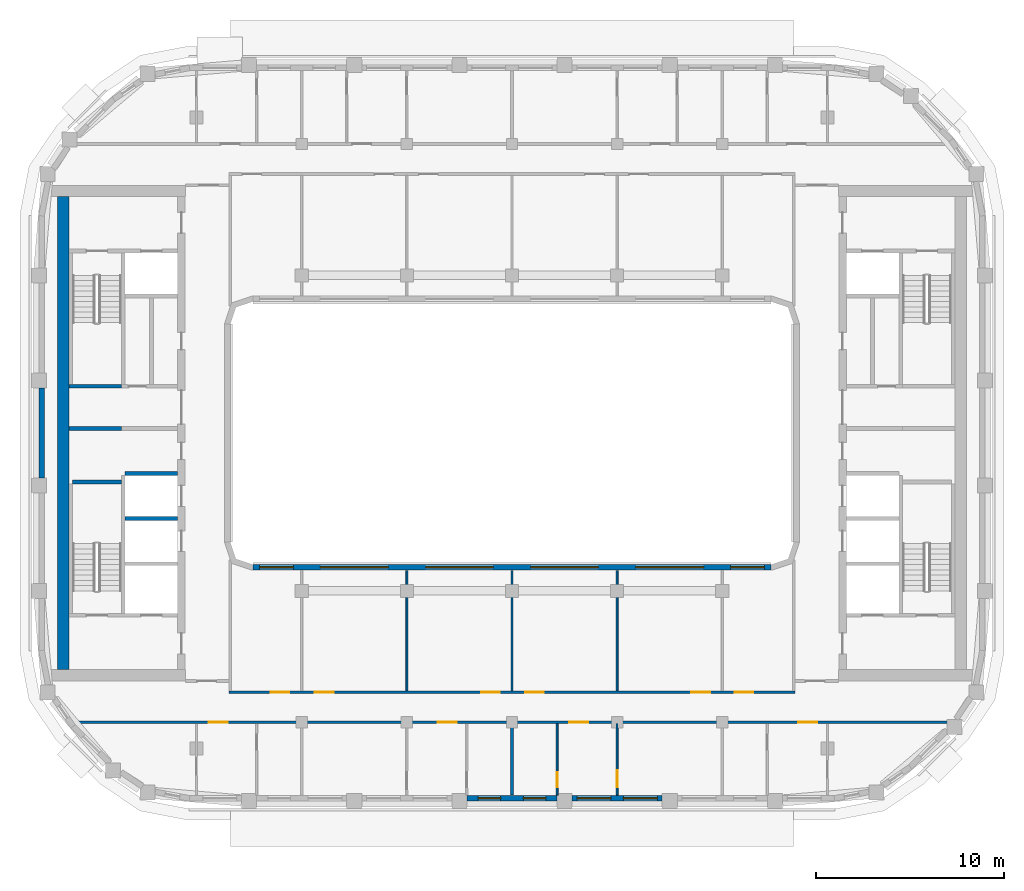
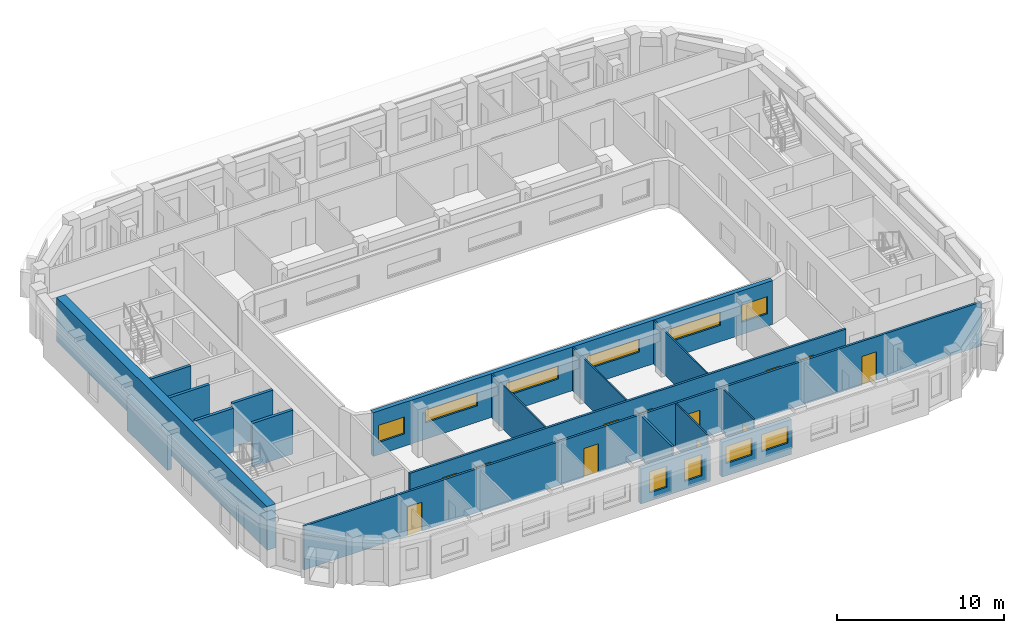
# One storey, part 3 of 15: 18 walls, 12 doors, 10 windows, 22 openings.
"""IFC4 building model written with IfcOpenShell, lengths in metres."""

from ifc_helpers import new_model, si_unit, direction, frame, frame_2d, origin, place, context, subcontext, project, spatial, rectangle, extrude, material, layer, layer_set, type_object, element, fill, save


model = new_model("IFC4")

# Units and contexts
model_context = context("Model", 3, precision=1e-05, world=origin(), true_north=direction((0.0, 1.0)))
body_context = subcontext(model_context, "Body", "Model", "MODEL_VIEW")
ifc_project = project(units=[si_unit("LENGTHUNIT", "METRE"), si_unit("AREAUNIT", "SQUARE_METRE"), si_unit("VOLUMEUNIT", "CUBIC_METRE"), si_unit("PLANEANGLEUNIT", "RADIAN"), si_unit("MASSUNIT", "GRAM", prefix="KILO")], contexts=[model_context])

# Site, building, storey
site_placement = place(None, origin())
site = spatial("IfcSite", under=ifc_project, at=site_placement, CompositionType="ELEMENT")
building_placement = place(site_placement, origin())
building = spatial("IfcBuilding", under=site, at=building_placement, Name="Kiln Ring Residences", CompositionType="ELEMENT")
storey_placement = place(building_placement, frame((0.0, 0.0, 252.199951171875)))
storey = spatial("IfcBuildingStorey", under=building, at=storey_placement, Name="L65", CompositionType="ELEMENT", Elevation=252.199951171875)

# Walls
ifc_material_1 = material(Name="Gypsum board on steel studs", Category="steel")
ifc_layer_1 = layer(ifc_material_1, 0.199951171875)
ifc_layer_set_1 = layer_set([ifc_layer_1], Name="CORE-PARTITION-200")
wall_type_1 = type_object("IfcWallType", Name="CORE-PARTITION-200", PredefinedType="PARTITIONING", material=ifc_layer_set_1)
wall_1_placement = place(storey_placement, frame((-20.800048828125, 0.25, 0.0), z_axis=(0.0, 0.0, 1.0), x_axis=(-1.0, 0.0, 0.0)))
element("IfcWall", 1, at=wall_1_placement, inside=storey, type_object=wall_type_1, Name="Core partition west L65 1", PredefinedType="PARTITIONING", context=body_context, shape_type="SweptSolid", body=[
    extrude(rectangle(XDim=2.800048828125, YDim=0.199951171875, at=frame_2d((1.39990234375, 0.0))), origin(), (0.0, 0.0, 1.0), 3.199951171875),
])
ifc_material_2 = material(Name="Gypsum shaft wall system")
ifc_layer_2 = layer(ifc_material_2, 0.199951171875)
ifc_layer_set_2 = layer_set([ifc_layer_2], Name="CORE-SHAFT-WALL-200")
wall_type_2 = type_object("IfcWallType", Name="CORE-SHAFT-WALL-200", PredefinedType="PARTITIONING", material=ifc_layer_set_2)
for number, where, z_axis, x_axis, name in (
    (2, (-17.800048828125, -4.550048828125, 0.0), (0.0, 0.0, 1.0), (-1.0, 0.0, 0.0), "Core partition west L65 4"),
    (3, (-17.800048828125, -2.14990234375, 0.0), (0.0, 0.0, 1.0), (-1.0, 0.0, 0.0), "Core partition west L65 5"),
):
    element("IfcWall", number, at=place(storey_placement, frame(where, z_axis=z_axis, x_axis=x_axis)), inside=storey, type_object=wall_type_2, Name=name, PredefinedType="PARTITIONING", context=body_context, shape_type="SweptSolid", body=[
        extrude(rectangle(XDim=2.800048828125, YDim=0.199951171875, at=frame_2d((1.39990234375, 0.0))), origin(), (0.0, 0.0, 1.0), 3.199951171875),
    ])
ifc_material_3 = material(Name="Concrete C40/50", Category="concrete")
ifc_layer_3 = layer(ifc_material_3, 0.199951171875)
ifc_layer_set_3 = layer_set([ifc_layer_3], Name="CORE-WALL-RC200")
wall_type_3 = type_object("IfcWallType", Name="CORE-WALL-RC200", PredefinedType="SHEAR", material=ifc_layer_set_3)
wall_2_placement = place(storey_placement, frame((-20.800048828125, 2.5, 0.0), z_axis=(0.0, 0.0, 1.0), x_axis=(-1.0, 0.0, 0.0)))
element("IfcWall", 4, at=wall_2_placement, inside=storey, type_object=wall_type_3, Name="Core wall west L65 3", PredefinedType="SHEAR", context=body_context, shape_type="SweptSolid", body=[
    extrude(rectangle(XDim=2.800048828125, YDim=0.199951171875, at=frame_2d((1.39990234375, 0.0))), origin(), (0.0, 0.0, 1.0), 3.199951171875),
])
wall_3_placement = place(storey_placement, frame((-20.800048828125, -2.60009765625, 0.0), z_axis=(0.0, 0.0, 1.0), x_axis=(-1.0, 0.0, 0.0)))
element("IfcWall", 5, at=wall_3_placement, inside=storey, type_object=wall_type_3, Name="Core wall west L65 12", PredefinedType="SHEAR", context=body_context, shape_type="SweptSolid", body=[
    extrude(rectangle(XDim=2.599853515625, YDim=0.199951171875, at=frame_2d((1.2998046875, 0.0))), origin(), (0.0, 0.0, 1.0), 3.199951171875),
])
ifc_material_4 = material(Name="Concrete C60/75", Category="concrete")
ifc_layer_4 = layer(ifc_material_4, 0.60009765625)
ifc_layer_set_4 = layer_set([ifc_layer_4], Name="CORE-WALL-RC600")
wall_type_4 = type_object("IfcWallType", Name="CORE-WALL-RC600", PredefinedType="SHEAR", material=ifc_layer_set_4)
wall_4_placement = place(storey_placement, frame((-23.89990234375, -12.60009765625, 0.0), z_axis=(0.0, 0.0, 1.0), x_axis=(0.0, 1.0, 0.0)))
element("IfcWall", 6, at=wall_4_placement, inside=storey, type_object=wall_type_4, Name="Core wall west L65 7", PredefinedType="SHEAR", context=body_context, shape_type="SweptSolid", body=[
    extrude(rectangle(XDim=25.2001953125, YDim=0.60009765625, at=frame_2d((12.60009765625, 0.0))), origin(), (0.0, 0.0, 1.0), 3.199951171875),
])

# Wall, openings, windows
ifc_material_5 = material(Name="Brick masonry, dark clay brick", Category="masonry")
ifc_layer_5 = layer(ifc_material_5, 0.300048828125)
ifc_layer_set_5 = layer_set([ifc_layer_5], Name="EW-300 BRICK WALL")
wall_type_5 = type_object("IfcWallType", Name="EW-300 BRICK WALL", PredefinedType="SOLIDWALL", material=ifc_layer_set_5)
wall_5_placement = place(storey_placement, frame((-2.39990234375, -19.449951171875, 0.0), z_axis=(0.0, 0.0, 1.0), x_axis=(1.0, 0.0, 0.0)))
wall_5 = element("IfcWall", 7, at=wall_5_placement, inside=storey, type_object=wall_type_5, Name="Facade wall L65 7", PredefinedType="SOLIDWALL", context=body_context, shape_type="SweptSolid", body=[
    extrude(rectangle(XDim=4.7998046875, YDim=0.300048828125, at=frame_2d((2.39990234375, 0.0))), origin(), (0.0, 0.0, 1.0), 2.550048828125),
])
opening_1_placement = place(wall_5_placement, frame((0.60009765625, 0.0, 0.60009765625)))
opening_1 = element("IfcOpeningElement", 8, at=opening_1_placement, cuts=wall_5, Name="Opening W1", PredefinedType="OPENING", context=body_context, shape_type="SweptSolid", body=[
    extrude(rectangle(XDim=1.199951171875, YDim=1.550048828125, at=frame_2d((0.60009765625, 0.77490234375))), frame((0.0, 0.159912109375, 0.0), z_axis=(0.0, -1.0, 0.0), x_axis=(1.0, 0.0, 0.0)), (0.0, 0.0, 1.0), 0.320068359375),
])
opening_2_placement = place(wall_5_placement, frame((3.0, 0.0, 0.60009765625)))
opening_2 = element("IfcOpeningElement", 9, at=opening_2_placement, cuts=wall_5, Name="Opening W1", PredefinedType="OPENING", context=body_context, shape_type="SweptSolid", body=[
    extrude(rectangle(XDim=1.199951171875, YDim=1.550048828125, at=frame_2d((0.60009765625, 0.77490234375))), frame((0.0, 0.159912109375, 0.0), z_axis=(0.0, -1.0, 0.0), x_axis=(1.0, 0.0, 0.0)), (0.0, 0.0, 1.0), 0.320068359375),
])
ifc_material_6 = material(Name="Aluminium frame with double glazing", Category="aluminium")
window_type_1 = type_object("IfcWindowType", Name="WINDOW 1200 x 1550", PartitioningType="SINGLE_PANEL", PredefinedType="WINDOW", material=ifc_material_6)
window_1_placement = place(opening_1_placement, origin())
window_1 = element("IfcWindow", 10, at=window_1_placement, inside=storey, type_object=window_type_1, Name="Window L65 8", OverallHeight=1.550048828125, OverallWidth=1.199951171875, PartitioningType="SINGLE_PANEL", PredefinedType="WINDOW", context=body_context, shape_type="SweptSolid", body=[
    extrude(rectangle(XDim=1.199951171875, YDim=1.550048828125, at=frame_2d((0.60009765625, 0.77490234375))), frame((0.0, 0.030029296875, 0.0), z_axis=(0.0, -1.0, 0.0), x_axis=(1.0, 0.0, 0.0)), (0.0, 0.0, 1.0), 0.06005859375),
])
fill(opening_1, window_1)
window_2_placement = place(opening_2_placement, origin())
window_2 = element("IfcWindow", 11, at=window_2_placement, inside=storey, type_object=window_type_1, Name="Window L65 9", OverallHeight=1.550048828125, OverallWidth=1.199951171875, PartitioningType="SINGLE_PANEL", PredefinedType="WINDOW", context=body_context, shape_type="SweptSolid", body=[
    extrude(rectangle(XDim=1.199951171875, YDim=1.550048828125, at=frame_2d((0.60009765625, 0.77490234375))), frame((0.0, 0.030029296875, 0.0), z_axis=(0.0, -1.0, 0.0), x_axis=(1.0, 0.0, 0.0)), (0.0, 0.0, 1.0), 0.06005859375),
])
fill(opening_2, window_2)

wall_6_placement = place(storey_placement, frame((3.199951171875, -19.449951171875, 0.0), z_axis=(0.0, 0.0, 1.0), x_axis=(1.0, 0.0, 0.0)))
wall_6 = element("IfcWall", 12, at=wall_6_placement, inside=storey, type_object=wall_type_5, Name="Facade wall L65 8", PredefinedType="SOLIDWALL", context=body_context, shape_type="SweptSolid", body=[
    extrude(rectangle(XDim=4.800048828125, YDim=0.300048828125, at=frame_2d((2.39990234375, 0.0))), origin(), (0.0, 0.0, 1.0), 2.550048828125),
])
opening_3_placement = place(wall_6_placement, frame((0.262451171875, 0.0, 0.89990234375)))
opening_3 = element("IfcOpeningElement", 13, at=opening_3_placement, cuts=wall_6, Name="Opening W2", PredefinedType="OPENING", context=body_context, shape_type="SweptSolid", body=[
    extrude(rectangle(XDim=1.800048828125, YDim=1.25, at=frame_2d((0.89990234375, 0.625))), frame((0.0, 0.159912109375, 0.0), z_axis=(0.0, -1.0, 0.0), x_axis=(1.0, 0.0, 0.0)), (0.0, 0.0, 1.0), 0.320068359375),
])
opening_4_placement = place(wall_6_placement, frame((2.737548828125, 0.0, 0.89990234375)))
opening_4 = element("IfcOpeningElement", 14, at=opening_4_placement, cuts=wall_6, Name="Opening W2", PredefinedType="OPENING", context=body_context, shape_type="SweptSolid", body=[
    extrude(rectangle(XDim=1.800048828125, YDim=1.25, at=frame_2d((0.89990234375, 0.625))), frame((0.0, 0.159912109375, 0.0), z_axis=(0.0, -1.0, 0.0), x_axis=(1.0, 0.0, 0.0)), (0.0, 0.0, 1.0), 0.320068359375),
])
ifc_material_7 = material(Name="Aluminium frame with double glazing", Category="aluminium")
window_type_2 = type_object("IfcWindowType", Name="WINDOW 1800 x 1250", PartitioningType="SINGLE_PANEL", PredefinedType="WINDOW", material=ifc_material_7)
window_3_placement = place(opening_3_placement, origin())
window_3 = element("IfcWindow", 15, at=window_3_placement, inside=storey, type_object=window_type_2, Name="Window L65 10", OverallHeight=1.25, OverallWidth=1.800048828125, PartitioningType="SINGLE_PANEL", PredefinedType="WINDOW", context=body_context, shape_type="SweptSolid", body=[
    extrude(rectangle(XDim=1.800048828125, YDim=1.25, at=frame_2d((0.89990234375, 0.625))), frame((0.0, 0.030029296875, 0.0), z_axis=(0.0, -1.0, 0.0), x_axis=(1.0, 0.0, 0.0)), (0.0, 0.0, 1.0), 0.06005859375),
])
fill(opening_3, window_3)
window_4_placement = place(opening_4_placement, origin())
window_4 = element("IfcWindow", 16, at=window_4_placement, inside=storey, type_object=window_type_2, Name="Window L65 11", OverallHeight=1.25, OverallWidth=1.800048828125, PartitioningType="SINGLE_PANEL", PredefinedType="WINDOW", context=body_context, shape_type="SweptSolid", body=[
    extrude(rectangle(XDim=1.800048828125, YDim=1.25, at=frame_2d((0.89990234375, 0.625))), frame((0.0, 0.030029296875, 0.0), z_axis=(0.0, -1.0, 0.0), x_axis=(1.0, 0.0, 0.0)), (0.0, 0.0, 1.0), 0.06005859375),
])
fill(opening_4, window_4)

# Wall
wall_7_placement = place(storey_placement, frame((-25.050048828125, 2.39990234375, 0.0), z_axis=(0.0, 0.0, 1.0), x_axis=(0.0, -1.0, 0.0)))
element("IfcWall", 17, at=wall_7_placement, inside=storey, type_object=wall_type_5, Name="Facade wall L65 40", PredefinedType="SOLIDWALL", context=body_context, shape_type="SweptSolid", body=[
    extrude(rectangle(XDim=4.7998046875, YDim=0.300048828125, at=frame_2d((2.39990234375, 0.0))), origin(), (0.0, 0.0, 1.0), 2.550048828125),
])

# Wall, openings, windows
wall_8_placement = place(storey_placement, frame((13.800048828125, -7.14990234375, 0.0), z_axis=(0.0, 0.0, 1.0), x_axis=(-1.0, 0.0, 0.0)))
wall_8 = element("IfcWall", 18, at=wall_8_placement, inside=storey, type_object=wall_type_5, Name="Facade wall L65 48", PredefinedType="SOLIDWALL", context=body_context, shape_type="SweptSolid", body=[
    extrude(rectangle(XDim=27.60009765625, YDim=0.300048828125, at=frame_2d((13.800048828125, 0.0))), origin(), (0.0, 0.0, 1.0), 3.199951171875),
])
opening_5_placement = place(wall_8_placement, frame((0.362548828125, 0.0, 0.89990234375)))
opening_5 = element("IfcOpeningElement", 19, at=opening_5_placement, cuts=wall_8, Name="Opening W2", PredefinedType="OPENING", context=body_context, shape_type="SweptSolid", body=[
    extrude(rectangle(XDim=1.800048828125, YDim=1.25, at=frame_2d((0.89990234375, 0.625))), frame((0.0, 0.159912109375, 0.0), z_axis=(0.0, -1.0, 0.0), x_axis=(1.0, 0.0, 0.0)), (0.0, 0.0, 1.0), 0.320068359375),
])
opening_6_placement = place(wall_8_placement, frame((3.60009765625, 0.0, 1.199951171875)))
opening_6 = element("IfcOpeningElement", 20, at=opening_6_placement, cuts=wall_8, Name="Opening W4", PredefinedType="OPENING", context=body_context, shape_type="SweptSolid", body=[
    extrude(rectangle(XDim=3.60009765625, YDim=0.949951171875, at=frame_2d((1.800048828125, 0.47509765625))), frame((0.0, 0.159912109375, 0.0), z_axis=(0.0, -1.0, 0.0), x_axis=(1.0, 0.0, 0.0)), (0.0, 0.0, 1.0), 0.320068359375),
])
opening_7_placement = place(wall_8_placement, frame((9.199951171875, 0.0, 1.199951171875)))
opening_7 = element("IfcOpeningElement", 21, at=opening_7_placement, cuts=wall_8, Name="Opening W4", PredefinedType="OPENING", context=body_context, shape_type="SweptSolid", body=[
    extrude(rectangle(XDim=3.60009765625, YDim=0.949951171875, at=frame_2d((1.800048828125, 0.47509765625))), frame((0.0, 0.159912109375, 0.0), z_axis=(0.0, -1.0, 0.0), x_axis=(1.0, 0.0, 0.0)), (0.0, 0.0, 1.0), 0.320068359375),
])
opening_8_placement = place(wall_8_placement, frame((14.800048828125, 0.0, 1.199951171875)))
opening_8 = element("IfcOpeningElement", 22, at=opening_8_placement, cuts=wall_8, Name="Opening W4", PredefinedType="OPENING", context=body_context, shape_type="SweptSolid", body=[
    extrude(rectangle(XDim=3.60009765625, YDim=0.949951171875, at=frame_2d((1.800048828125, 0.47509765625))), frame((0.0, 0.159912109375, 0.0), z_axis=(0.0, -1.0, 0.0), x_axis=(1.0, 0.0, 0.0)), (0.0, 0.0, 1.0), 0.320068359375),
])
opening_9_placement = place(wall_8_placement, frame((20.39990234375, 0.0, 1.199951171875)))
opening_9 = element("IfcOpeningElement", 23, at=opening_9_placement, cuts=wall_8, Name="Opening W4", PredefinedType="OPENING", context=body_context, shape_type="SweptSolid", body=[
    extrude(rectangle(XDim=3.60009765625, YDim=0.949951171875, at=frame_2d((1.800048828125, 0.47509765625))), frame((0.0, 0.159912109375, 0.0), z_axis=(0.0, -1.0, 0.0), x_axis=(1.0, 0.0, 0.0)), (0.0, 0.0, 1.0), 0.320068359375),
])
opening_10_placement = place(wall_8_placement, frame((25.4375, 0.0, 0.89990234375)))
opening_10 = element("IfcOpeningElement", 24, at=opening_10_placement, cuts=wall_8, Name="Opening W2", PredefinedType="OPENING", context=body_context, shape_type="SweptSolid", body=[
    extrude(rectangle(XDim=1.800048828125, YDim=1.25, at=frame_2d((0.89990234375, 0.625))), frame((0.0, 0.159912109375, 0.0), z_axis=(0.0, -1.0, 0.0), x_axis=(1.0, 0.0, 0.0)), (0.0, 0.0, 1.0), 0.320068359375),
])
window_5_placement = place(opening_5_placement, origin())
window_5 = element("IfcWindow", 25, at=window_5_placement, inside=storey, type_object=window_type_2, Name="Window L65 43", OverallHeight=1.25, OverallWidth=1.800048828125, PartitioningType="SINGLE_PANEL", PredefinedType="WINDOW", context=body_context, shape_type="SweptSolid", body=[
    extrude(rectangle(XDim=1.800048828125, YDim=1.25, at=frame_2d((0.89990234375, 0.625))), frame((0.0, 0.030029296875, 0.0), z_axis=(0.0, -1.0, 0.0), x_axis=(1.0, 0.0, 0.0)), (0.0, 0.0, 1.0), 0.06005859375),
])
fill(opening_5, window_5)
window_6_placement = place(opening_10_placement, origin())
window_6 = element("IfcWindow", 26, at=window_6_placement, inside=storey, type_object=window_type_2, Name="Window L65 48", OverallHeight=1.25, OverallWidth=1.800048828125, PartitioningType="SINGLE_PANEL", PredefinedType="WINDOW", context=body_context, shape_type="SweptSolid", body=[
    extrude(rectangle(XDim=1.800048828125, YDim=1.25, at=frame_2d((0.89990234375, 0.625))), frame((0.0, 0.030029296875, 0.0), z_axis=(0.0, -1.0, 0.0), x_axis=(1.0, 0.0, 0.0)), (0.0, 0.0, 1.0), 0.06005859375),
])
fill(opening_10, window_6)
ifc_material_8 = material(Name="Aluminium frame with double glazing", Category="aluminium")
window_type_3 = type_object("IfcWindowType", Name="WINDOW 3600 x 950", PartitioningType="SINGLE_PANEL", PredefinedType="WINDOW", material=ifc_material_8)
window_7_placement = place(opening_6_placement, origin())
window_7 = element("IfcWindow", 27, at=window_7_placement, inside=storey, type_object=window_type_3, Name="Window L65 44", OverallHeight=0.949951171875, OverallWidth=3.60009765625, PartitioningType="SINGLE_PANEL", PredefinedType="WINDOW", context=body_context, shape_type="SweptSolid", body=[
    extrude(rectangle(XDim=3.60009765625, YDim=0.949951171875, at=frame_2d((1.800048828125, 0.47509765625))), frame((0.0, 0.030029296875, 0.0), z_axis=(0.0, -1.0, 0.0), x_axis=(1.0, 0.0, 0.0)), (0.0, 0.0, 1.0), 0.06005859375),
])
fill(opening_6, window_7)
window_8_placement = place(opening_7_placement, origin())
window_8 = element("IfcWindow", 28, at=window_8_placement, inside=storey, type_object=window_type_3, Name="Window L65 45", OverallHeight=0.949951171875, OverallWidth=3.60009765625, PartitioningType="SINGLE_PANEL", PredefinedType="WINDOW", context=body_context, shape_type="SweptSolid", body=[
    extrude(rectangle(XDim=3.60009765625, YDim=0.949951171875, at=frame_2d((1.800048828125, 0.47509765625))), frame((0.0, 0.030029296875, 0.0), z_axis=(0.0, -1.0, 0.0), x_axis=(1.0, 0.0, 0.0)), (0.0, 0.0, 1.0), 0.06005859375),
])
fill(opening_7, window_8)
window_9_placement = place(opening_8_placement, origin())
window_9 = element("IfcWindow", 29, at=window_9_placement, inside=storey, type_object=window_type_3, Name="Window L65 46", OverallHeight=0.949951171875, OverallWidth=3.60009765625, PartitioningType="SINGLE_PANEL", PredefinedType="WINDOW", context=body_context, shape_type="SweptSolid", body=[
    extrude(rectangle(XDim=3.60009765625, YDim=0.949951171875, at=frame_2d((1.800048828125, 0.47509765625))), frame((0.0, 0.030029296875, 0.0), z_axis=(0.0, -1.0, 0.0), x_axis=(1.0, 0.0, 0.0)), (0.0, 0.0, 1.0), 0.06005859375),
])
fill(opening_8, window_9)
window_10_placement = place(opening_9_placement, origin())
window_10 = element("IfcWindow", 30, at=window_10_placement, inside=storey, type_object=window_type_3, Name="Window L65 47", OverallHeight=0.949951171875, OverallWidth=3.60009765625, PartitioningType="SINGLE_PANEL", PredefinedType="WINDOW", context=body_context, shape_type="SweptSolid", body=[
    extrude(rectangle(XDim=3.60009765625, YDim=0.949951171875, at=frame_2d((1.800048828125, 0.47509765625))), frame((0.0, 0.030029296875, 0.0), z_axis=(0.0, -1.0, 0.0), x_axis=(1.0, 0.0, 0.0)), (0.0, 0.0, 1.0), 0.06005859375),
])
fill(opening_9, window_10)

# Walls
ifc_material_9 = material(Name="Gypsum board on steel studs", Category="steel")
ifc_layer_6 = layer(ifc_material_9, 0.10009765625)
ifc_layer_set_6 = layer_set([ifc_layer_6], Name="PARTITION-100")
wall_type_6 = type_object("IfcWallType", Name="PARTITION-100", PredefinedType="PARTITIONING", material=ifc_layer_set_6)
for number, where, z_axis, x_axis, name in (
    (31, (-5.60009765625, -13.72509765625, 0.0), (0.0, 0.0, 1.0), (0.0, 1.0, 0.0), "Partition 020"),
    (32, (0.0, -13.72509765625, 0.0), (0.0, 0.0, 1.0), (0.0, 1.0, 0.0), "Partition 024"),
):
    element("IfcWall", number, at=place(storey_placement, frame(where, z_axis=z_axis, x_axis=x_axis)), inside=storey, type_object=wall_type_6, Name=name, PredefinedType="PARTITIONING", context=body_context, shape_type="SweptSolid", body=[
        extrude(rectangle(XDim=6.405029296875, YDim=0.10009765625, at=frame_2d((3.20263671875, 0.0))), origin(), (0.0, 0.0, 1.0), 3.199951171875),
    ])

# Wall, opening, door
wall_9_placement = place(storey_placement, frame((2.39990234375, -19.280029296875, 0.0), z_axis=(0.0, 0.0, 1.0), x_axis=(0.0, 1.0, 0.0)))
wall_9 = element("IfcWall", 33, at=wall_9_placement, inside=storey, type_object=wall_type_6, Name="Partition 028", PredefinedType="PARTITIONING", context=body_context, shape_type="SweptSolid", body=[
    extrude(rectangle(XDim=3.804931640625, YDim=0.10009765625, at=frame_2d((1.90234375, 0.0))), origin(), (0.0, 0.0, 1.0), 3.199951171875),
])
opening_11_placement = place(wall_9_placement, frame((0.428955078125, 0.0, 0.0)))
opening_11 = element("IfcOpeningElement", 34, at=opening_11_placement, cuts=wall_9, Name="Opening L65-D036", PredefinedType="OPENING", context=body_context, shape_type="SweptSolid", body=[
    extrude(rectangle(XDim=0.800048828125, YDim=2.10009765625, at=frame_2d((0.39990234375, 1.050048828125))), frame((0.0, 0.06005859375, 0.0), z_axis=(0.0, -1.0, 0.0), x_axis=(1.0, 0.0, 0.0)), (0.0, 0.0, 1.0), 0.1201171875),
])
ifc_material_10 = material(Name="Timber door leaf", Category="wood")
door_type_1 = type_object("IfcDoorType", Name="FLAT-DOOR-800-PL", OperationType="SINGLE_SWING_LEFT", PredefinedType="DOOR", material=ifc_material_10)
door_1_placement = place(opening_11_placement, origin())
door_1 = element("IfcDoor", 35, at=door_1_placement, inside=storey, type_object=door_type_1, Name="Door L65-D036", OperationType="SINGLE_SWING_RIGHT", OverallHeight=2.10009765625, OverallWidth=0.800048828125, PredefinedType="DOOR", context=body_context, shape_type="SweptSolid", body=[
    extrude(rectangle(XDim=0.800048828125, YDim=2.10009765625, at=frame_2d((0.39990234375, 1.050048828125))), frame((0.0, 0.02490234375, 0.0), z_axis=(0.0, -1.0, 0.0), x_axis=(1.0, 0.0, 0.0)), (0.0, 0.0, 1.0), 0.050048828125),
])
fill(opening_11, door_1)

wall_10_placement = place(storey_placement, frame((5.60009765625, -19.280029296875, 0.0), z_axis=(0.0, 0.0, 1.0), x_axis=(0.0, 1.0, 0.0)))
wall_10 = element("IfcWall", 36, at=wall_10_placement, inside=storey, type_object=wall_type_6, Name="Partition 029", PredefinedType="PARTITIONING", context=body_context, shape_type="SweptSolid", body=[
    extrude(rectangle(XDim=3.804931640625, YDim=0.10009765625, at=frame_2d((1.90234375, 0.0))), origin(), (0.0, 0.0, 1.0), 3.199951171875),
])
opening_12_placement = place(wall_10_placement, frame((0.419921875, 0.0, 0.0)))
opening_12 = element("IfcOpeningElement", 37, at=opening_12_placement, cuts=wall_10, Name="Opening L65-D037", PredefinedType="OPENING", context=body_context, shape_type="SweptSolid", body=[
    extrude(rectangle(XDim=0.89990234375, YDim=2.10009765625, at=frame_2d((0.449951171875, 1.050048828125))), frame((0.0, 0.06005859375, 0.0), z_axis=(0.0, -1.0, 0.0), x_axis=(1.0, 0.0, 0.0)), (0.0, 0.0, 1.0), 0.1201171875),
])
ifc_material_11 = material(Name="Timber door leaf", Category="wood")
door_type_2 = type_object("IfcDoorType", Name="FLAT-DOOR-900-PL", OperationType="SINGLE_SWING_LEFT", PredefinedType="DOOR", material=ifc_material_11)
door_2_placement = place(opening_12_placement, origin())
door_2 = element("IfcDoor", 38, at=door_2_placement, inside=storey, type_object=door_type_2, Name="Door L65-D037", OperationType="SINGLE_SWING_LEFT", OverallHeight=2.10009765625, OverallWidth=0.89990234375, PredefinedType="DOOR", context=body_context, shape_type="SweptSolid", body=[
    extrude(rectangle(XDim=0.89990234375, YDim=2.10009765625, at=frame_2d((0.449951171875, 1.050048828125))), frame((0.0, 0.02490234375, 0.0), z_axis=(0.0, -1.0, 0.0), x_axis=(1.0, 0.0, 0.0)), (0.0, 0.0, 1.0), 0.050048828125),
])
fill(opening_12, door_2)

# Wall
wall_11_placement = place(storey_placement, frame((5.60009765625, -13.72509765625, 0.0), z_axis=(0.0, 0.0, 1.0), x_axis=(0.0, 1.0, 0.0)))
element("IfcWall", 39, at=wall_11_placement, inside=storey, type_object=wall_type_6, Name="Partition 030", PredefinedType="PARTITIONING", context=body_context, shape_type="SweptSolid", body=[
    extrude(rectangle(XDim=6.405029296875, YDim=0.10009765625, at=frame_2d((3.20263671875, 0.0))), origin(), (0.0, 0.0, 1.0), 3.199951171875),
])

# Wall, openings, doors
ifc_material_12 = material(Name="Brick masonry partition", Category="masonry")
ifc_layer_7 = layer(ifc_material_12, 0.14990234375)
ifc_layer_set_7 = layer_set([ifc_layer_7], Name="PARTITION-150-ei60")
wall_type_7 = type_object("IfcWallType", Name="PARTITION-150-ei60", PredefinedType="PARTITIONING", material=ifc_layer_set_7)
wall_12_placement = place(storey_placement, frame((-23.322021484375, -15.39990234375, 0.0), z_axis=(0.0, 0.0, 1.0), x_axis=(1.0, 0.0, 0.0)))
wall_12 = element("IfcWall", 40, at=wall_12_placement, inside=storey, type_object=wall_type_7, Name="Partition 000", PredefinedType="PARTITIONING", context=body_context, shape_type="SweptSolid", body=[
    extrude(rectangle(XDim=46.8720703125, YDim=0.14990234375, at=frame_2d((23.43603515625, 0.0))), origin(), (0.0, 0.0, 1.0), 3.199951171875),
])
opening_13_placement = place(wall_12_placement, frame((7.172119140625, 0.0, 0.0)))
opening_13 = element("IfcOpeningElement", 41, at=opening_13_placement, cuts=wall_12, Name="Opening L65-D029", PredefinedType="OPENING", context=body_context, shape_type="SweptSolid", body=[
    extrude(rectangle(XDim=1.0, YDim=2.10009765625, at=frame_2d((0.5, 1.050048828125))), frame((0.0, 0.0849609375, 0.0), z_axis=(0.0, -1.0, 0.0), x_axis=(1.0, 0.0, 0.0)), (0.0, 0.0, 1.0), 0.169921875),
])
opening_14_placement = place(wall_12_placement, frame((19.3720703125, 0.0, 0.0)))
opening_14 = element("IfcOpeningElement", 42, at=opening_14_placement, cuts=wall_12, Name="Opening L65-D032", PredefinedType="OPENING", context=body_context, shape_type="SweptSolid", body=[
    extrude(rectangle(XDim=1.0, YDim=2.10009765625, at=frame_2d((0.5, 1.050048828125))), frame((0.0, 0.0849609375, 0.0), z_axis=(0.0, -1.0, 0.0), x_axis=(1.0, 0.0, 0.0)), (0.0, 0.0, 1.0), 0.169921875),
])
opening_15_placement = place(wall_12_placement, frame((26.3720703125, 0.0, 0.0)))
opening_15 = element("IfcOpeningElement", 43, at=opening_15_placement, cuts=wall_12, Name="Opening L65-D035", PredefinedType="OPENING", context=body_context, shape_type="SweptSolid", body=[
    extrude(rectangle(XDim=1.0, YDim=2.10009765625, at=frame_2d((0.5, 1.050048828125))), frame((0.0, 0.0849609375, 0.0), z_axis=(0.0, -1.0, 0.0), x_axis=(1.0, 0.0, 0.0)), (0.0, 0.0, 1.0), 0.169921875),
])
opening_16_placement = place(wall_12_placement, frame((38.572021484375, 0.0, 0.0)))
opening_16 = element("IfcOpeningElement", 44, at=opening_16_placement, cuts=wall_12, Name="Opening L65-D038", PredefinedType="OPENING", context=body_context, shape_type="SweptSolid", body=[
    extrude(rectangle(XDim=1.0, YDim=2.10009765625, at=frame_2d((0.5, 1.050048828125))), frame((0.0, 0.0849609375, 0.0), z_axis=(0.0, -1.0, 0.0), x_axis=(1.0, 0.0, 0.0)), (0.0, 0.0, 1.0), 0.169921875),
])
ifc_material_13 = material(Name="Steel faced fire door leaf", Category="steel")
door_type_3 = type_object("IfcDoorType", Name="FLAT-DOOR-1000-FR", OperationType="SINGLE_SWING_LEFT", PredefinedType="DOOR", material=ifc_material_13)
door_3_placement = place(opening_13_placement, origin())
door_3 = element("IfcDoor", 45, at=door_3_placement, inside=storey, type_object=door_type_3, Name="Door L65-D029", OperationType="SINGLE_SWING_LEFT", OverallHeight=2.10009765625, OverallWidth=1.0, PredefinedType="DOOR", context=body_context, shape_type="SweptSolid", body=[
    extrude(rectangle(XDim=1.0, YDim=2.10009765625, at=frame_2d((0.5, 1.050048828125))), frame((0.0, 0.02490234375, 0.0), z_axis=(0.0, -1.0, 0.0), x_axis=(1.0, 0.0, 0.0)), (0.0, 0.0, 1.0), 0.050048828125),
])
fill(opening_13, door_3)
door_4_placement = place(opening_14_placement, origin())
door_4 = element("IfcDoor", 46, at=door_4_placement, inside=storey, type_object=door_type_3, Name="Door L65-D032", OperationType="SINGLE_SWING_RIGHT", OverallHeight=2.10009765625, OverallWidth=1.0, PredefinedType="DOOR", context=body_context, shape_type="SweptSolid", body=[
    extrude(rectangle(XDim=1.0, YDim=2.10009765625, at=frame_2d((0.5, 1.050048828125))), frame((0.0, 0.02490234375, 0.0), z_axis=(0.0, -1.0, 0.0), x_axis=(1.0, 0.0, 0.0)), (0.0, 0.0, 1.0), 0.050048828125),
])
fill(opening_14, door_4)
door_5_placement = place(opening_15_placement, origin())
door_5 = element("IfcDoor", 47, at=door_5_placement, inside=storey, type_object=door_type_3, Name="Door L65-D035", OperationType="SINGLE_SWING_LEFT", OverallHeight=2.10009765625, OverallWidth=1.0, PredefinedType="DOOR", context=body_context, shape_type="SweptSolid", body=[
    extrude(rectangle(XDim=1.0, YDim=2.10009765625, at=frame_2d((0.5, 1.050048828125))), frame((0.0, 0.02490234375, 0.0), z_axis=(0.0, -1.0, 0.0), x_axis=(1.0, 0.0, 0.0)), (0.0, 0.0, 1.0), 0.050048828125),
])
fill(opening_15, door_5)
door_6_placement = place(opening_16_placement, origin())
door_6 = element("IfcDoor", 48, at=door_6_placement, inside=storey, type_object=door_type_3, Name="Door L65-D038", OperationType="SINGLE_SWING_RIGHT", OverallHeight=2.10009765625, OverallWidth=1.0, PredefinedType="DOOR", context=body_context, shape_type="SweptSolid", body=[
    extrude(rectangle(XDim=1.0, YDim=2.10009765625, at=frame_2d((0.5, 1.050048828125))), frame((0.0, 0.02490234375, 0.0), z_axis=(0.0, -1.0, 0.0), x_axis=(1.0, 0.0, 0.0)), (0.0, 0.0, 1.0), 0.050048828125),
])
fill(opening_16, door_6)

wall_13_placement = place(storey_placement, frame((-15.074951171875, -13.800048828125, 0.0), z_axis=(0.0, 0.0, 1.0), x_axis=(1.0, 0.0, 0.0)))
wall_13 = element("IfcWall", 49, at=wall_13_placement, inside=storey, type_object=wall_type_7, Name="Partition 001", PredefinedType="PARTITIONING", context=body_context, shape_type="SweptSolid", body=[
    extrude(rectangle(XDim=30.14990234375, YDim=0.14990234375, at=frame_2d((15.074951171875, 0.0))), origin(), (0.0, 0.0, 1.0), 3.199951171875),
])
opening_17_placement = place(wall_13_placement, frame((2.22509765625, 0.0, 0.0)))
opening_17 = element("IfcOpeningElement", 50, at=opening_17_placement, cuts=wall_13, Name="Opening L65-D023", PredefinedType="OPENING", context=body_context, shape_type="SweptSolid", body=[
    extrude(rectangle(XDim=1.0, YDim=2.10009765625, at=frame_2d((0.5, 1.050048828125))), frame((0.0, 0.0849609375, 0.0), z_axis=(0.0, -1.0, 0.0), x_axis=(1.0, 0.0, 0.0)), (0.0, 0.0, 1.0), 0.169921875),
])
opening_18_placement = place(wall_13_placement, frame((4.574951171875, 0.0, 0.0)))
opening_18 = element("IfcOpeningElement", 51, at=opening_18_placement, cuts=wall_13, Name="Opening L65-D024", PredefinedType="OPENING", context=body_context, shape_type="SweptSolid", body=[
    extrude(rectangle(XDim=1.0, YDim=2.10009765625, at=frame_2d((0.5, 1.050048828125))), frame((0.0, 0.0849609375, 0.0), z_axis=(0.0, -1.0, 0.0), x_axis=(1.0, 0.0, 0.0)), (0.0, 0.0, 1.0), 0.169921875),
])
opening_19_placement = place(wall_13_placement, frame((13.425048828125, 0.0, 0.0)))
opening_19 = element("IfcOpeningElement", 52, at=opening_19_placement, cuts=wall_13, Name="Opening L65-D025", PredefinedType="OPENING", context=body_context, shape_type="SweptSolid", body=[
    extrude(rectangle(XDim=1.0, YDim=2.10009765625, at=frame_2d((0.5, 1.050048828125))), frame((0.0, 0.0849609375, 0.0), z_axis=(0.0, -1.0, 0.0), x_axis=(1.0, 0.0, 0.0)), (0.0, 0.0, 1.0), 0.169921875),
])
opening_20_placement = place(wall_13_placement, frame((15.77490234375, 0.0, 0.0)))
opening_20 = element("IfcOpeningElement", 53, at=opening_20_placement, cuts=wall_13, Name="Opening L65-D026", PredefinedType="OPENING", context=body_context, shape_type="SweptSolid", body=[
    extrude(rectangle(XDim=1.0, YDim=2.10009765625, at=frame_2d((0.5, 1.050048828125))), frame((0.0, 0.0849609375, 0.0), z_axis=(0.0, -1.0, 0.0), x_axis=(1.0, 0.0, 0.0)), (0.0, 0.0, 1.0), 0.169921875),
])
opening_21_placement = place(wall_13_placement, frame((24.625, 0.0, 0.0)))
opening_21 = element("IfcOpeningElement", 54, at=opening_21_placement, cuts=wall_13, Name="Opening L65-D027", PredefinedType="OPENING", context=body_context, shape_type="SweptSolid", body=[
    extrude(rectangle(XDim=1.0, YDim=2.10009765625, at=frame_2d((0.5, 1.050048828125))), frame((0.0, 0.0849609375, 0.0), z_axis=(0.0, -1.0, 0.0), x_axis=(1.0, 0.0, 0.0)), (0.0, 0.0, 1.0), 0.169921875),
])
opening_22_placement = place(wall_13_placement, frame((26.924072265625, 0.0, 0.0)))
opening_22 = element("IfcOpeningElement", 55, at=opening_22_placement, cuts=wall_13, Name="Opening L65-D028", PredefinedType="OPENING", context=body_context, shape_type="SweptSolid", body=[
    extrude(rectangle(XDim=1.0, YDim=2.10009765625, at=frame_2d((0.5, 1.050048828125))), frame((0.0, 0.0849609375, 0.0), z_axis=(0.0, -1.0, 0.0), x_axis=(1.0, 0.0, 0.0)), (0.0, 0.0, 1.0), 0.169921875),
])
door_7_placement = place(opening_17_placement, origin())
door_7 = element("IfcDoor", 56, at=door_7_placement, inside=storey, type_object=door_type_3, Name="Door L65-D023", OperationType="SINGLE_SWING_LEFT", OverallHeight=2.10009765625, OverallWidth=1.0, PredefinedType="DOOR", context=body_context, shape_type="SweptSolid", body=[
    extrude(rectangle(XDim=1.0, YDim=2.10009765625, at=frame_2d((0.5, 1.050048828125))), frame((0.0, 0.02490234375, 0.0), z_axis=(0.0, -1.0, 0.0), x_axis=(1.0, 0.0, 0.0)), (0.0, 0.0, 1.0), 0.050048828125),
])
fill(opening_17, door_7)
door_8_placement = place(opening_18_placement, origin())
door_8 = element("IfcDoor", 57, at=door_8_placement, inside=storey, type_object=door_type_3, Name="Door L65-D024", OperationType="SINGLE_SWING_RIGHT", OverallHeight=2.10009765625, OverallWidth=1.0, PredefinedType="DOOR", context=body_context, shape_type="SweptSolid", body=[
    extrude(rectangle(XDim=1.0, YDim=2.10009765625, at=frame_2d((0.5, 1.050048828125))), frame((0.0, 0.02490234375, 0.0), z_axis=(0.0, -1.0, 0.0), x_axis=(1.0, 0.0, 0.0)), (0.0, 0.0, 1.0), 0.050048828125),
])
fill(opening_18, door_8)
door_9_placement = place(opening_19_placement, origin())
door_9 = element("IfcDoor", 58, at=door_9_placement, inside=storey, type_object=door_type_3, Name="Door L65-D025", OperationType="SINGLE_SWING_LEFT", OverallHeight=2.10009765625, OverallWidth=1.0, PredefinedType="DOOR", context=body_context, shape_type="SweptSolid", body=[
    extrude(rectangle(XDim=1.0, YDim=2.10009765625, at=frame_2d((0.5, 1.050048828125))), frame((0.0, 0.02490234375, 0.0), z_axis=(0.0, -1.0, 0.0), x_axis=(1.0, 0.0, 0.0)), (0.0, 0.0, 1.0), 0.050048828125),
])
fill(opening_19, door_9)
door_10_placement = place(opening_20_placement, origin())
door_10 = element("IfcDoor", 59, at=door_10_placement, inside=storey, type_object=door_type_3, Name="Door L65-D026", OperationType="SINGLE_SWING_RIGHT", OverallHeight=2.10009765625, OverallWidth=1.0, PredefinedType="DOOR", context=body_context, shape_type="SweptSolid", body=[
    extrude(rectangle(XDim=1.0, YDim=2.10009765625, at=frame_2d((0.5, 1.050048828125))), frame((0.0, 0.02490234375, 0.0), z_axis=(0.0, -1.0, 0.0), x_axis=(1.0, 0.0, 0.0)), (0.0, 0.0, 1.0), 0.050048828125),
])
fill(opening_20, door_10)
door_11_placement = place(opening_21_placement, origin())
door_11 = element("IfcDoor", 60, at=door_11_placement, inside=storey, type_object=door_type_3, Name="Door L65-D027", OperationType="SINGLE_SWING_LEFT", OverallHeight=2.10009765625, OverallWidth=1.0, PredefinedType="DOOR", context=body_context, shape_type="SweptSolid", body=[
    extrude(rectangle(XDim=1.0, YDim=2.10009765625, at=frame_2d((0.5, 1.050048828125))), frame((0.0, 0.02490234375, 0.0), z_axis=(0.0, -1.0, 0.0), x_axis=(1.0, 0.0, 0.0)), (0.0, 0.0, 1.0), 0.050048828125),
])
fill(opening_21, door_11)
door_12_placement = place(opening_22_placement, origin())
door_12 = element("IfcDoor", 61, at=door_12_placement, inside=storey, type_object=door_type_3, Name="Door L65-D028", OperationType="SINGLE_SWING_RIGHT", OverallHeight=2.10009765625, OverallWidth=1.0, PredefinedType="DOOR", context=body_context, shape_type="SweptSolid", body=[
    extrude(rectangle(XDim=1.0, YDim=2.10009765625, at=frame_2d((0.5, 1.050048828125))), frame((0.0, 0.02490234375, 0.0), z_axis=(0.0, -1.0, 0.0), x_axis=(1.0, 0.0, 0.0)), (0.0, 0.0, 1.0), 0.050048828125),
])
fill(opening_22, door_12)

# Wall
wall_14_placement = place(storey_placement, frame((0.0, -19.280029296875, 0.0), z_axis=(0.0, 0.0, 1.0), x_axis=(0.0, 1.0, 0.0)))
element("IfcWall", 62, at=wall_14_placement, inside=storey, type_object=wall_type_7, Name="Partition 026", PredefinedType="PARTITIONING", context=body_context, shape_type="SweptSolid", body=[
    extrude(rectangle(XDim=3.804931640625, YDim=0.14990234375, at=frame_2d((1.90234375, 0.0))), origin(), (0.0, 0.0, 1.0), 3.199951171875),
])

save(model, "model.ifc")
